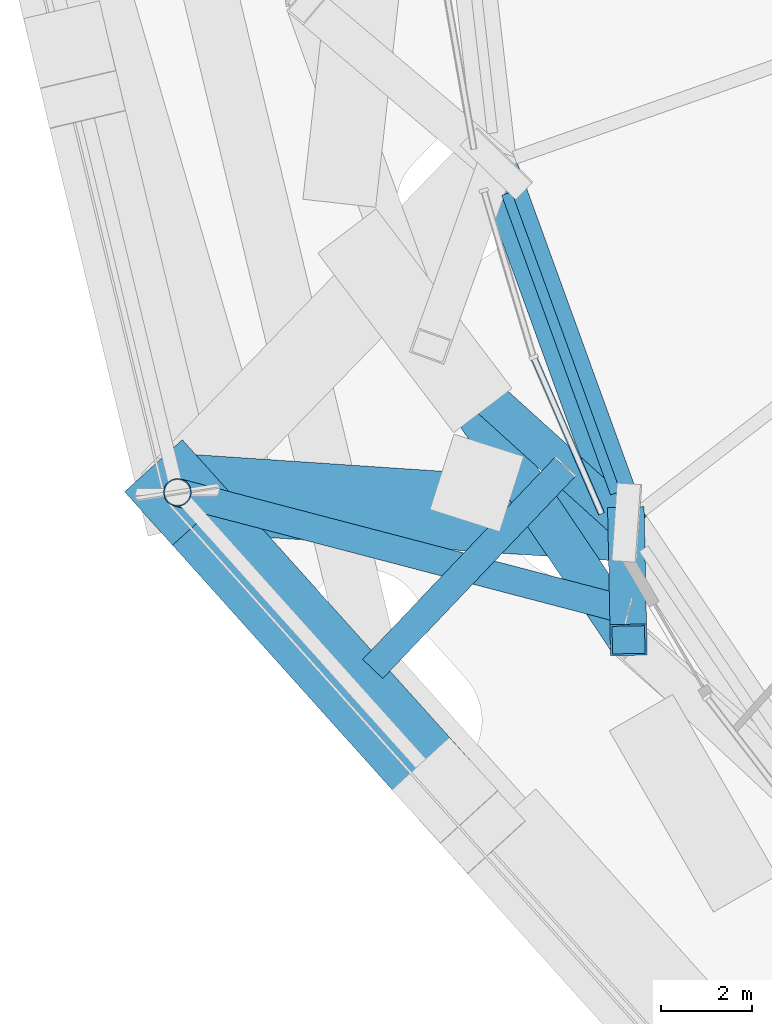
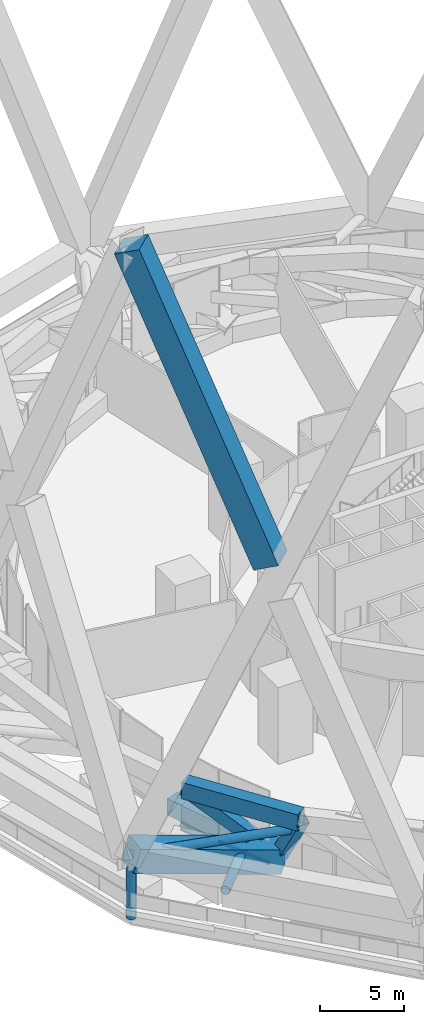
# One storey, part 4 of 51: 6 members, 5 beams, 1 element without a shape of its own.
"""IFC4 building model written with IfcOpenShell, lengths in metres."""

from ifc_helpers import new_model, si_unit, direction, frame, origin, origin_2d, place, context, subcontext, project, spatial, rectangle, hollow_rectangle, hollow_circle, i_section, extrude, material, layer, layer_set, material_profile, profile_set, type_object, element, aggregate, save


model = new_model("IFC4")

# Units and contexts
model_context = context("Model", 3, precision=1e-05, world=origin(), true_north=direction((0.0, 1.0)))
body_context = subcontext(model_context, "Body", "Model", "MODEL_VIEW")
ifc_project = project(units=[si_unit("LENGTHUNIT", "METRE"), si_unit("AREAUNIT", "SQUARE_METRE"), si_unit("VOLUMEUNIT", "CUBIC_METRE"), si_unit("PLANEANGLEUNIT", "RADIAN"), si_unit("MASSUNIT", "GRAM", prefix="KILO")], contexts=[model_context])

# Site, building, storey
site_placement = place(None, origin())
site = spatial("IfcSite", under=ifc_project, at=site_placement, CompositionType="ELEMENT")
building_placement = place(site_placement, origin())
building = spatial("IfcBuilding", under=site, at=building_placement, Name="Nagisa Residences", CompositionType="ELEMENT")
storey_placement = place(building_placement, frame((0.0, 0.0, 67.699951171875)))
storey = spatial("IfcBuildingStorey", under=building, at=storey_placement, Name="L16", CompositionType="ELEMENT", Elevation=67.699951171875)

# Beams
ifc_material_1 = material(Name="Steel ASTM A572 Gr 50", Category="steel")
ifc_material_profile_1 = material_profile(ifc_material_1, hollow_rectangle(XDim=0.89990234375, YDim=1.199951171875, WallThickness=0.050048828125, at=origin_2d()), Name="BX 900x1200x50")
ifc_profile_set_1 = profile_set([ifc_material_profile_1], Name="Steel ASTM A572 Gr 50")
beam_type_1 = type_object("IfcBeamType", Name="Belt chord 1 BX 900x1200x50", PredefinedType="BEAM", material=ifc_profile_set_1)
beam_1_placement = place(storey_placement, frame((-23.928955078125, -8.41162109375, 0.60009765625), z_axis=(0.34140925968, -0.939914739434, 0.0), x_axis=(0.939914739434, 0.34140925968, 0.0)))
element("IfcBeam", 1, at=beam_1_placement, inside=storey, type_object=beam_type_1, Name="beam:L16:bt1b14", PredefinedType="BEAM", context=body_context, shape_type="SweptSolid", body=[
    extrude(hollow_rectangle(XDim=0.89990234375, YDim=1.199951171875, WallThickness=0.050048828125, at=origin_2d()), origin(), (0.0, 0.0, 1.0), 8.33935546875),
])
beam_2_placement = place(storey_placement, frame((-25.3515625, -12.389892578125, 4.739990234375), z_axis=(0.558231952624, -0.829684932411, 0.0), x_axis=(0.829684932411, 0.558231952624, 0.0)))
element("IfcBeam", 2, at=beam_2_placement, inside=storey, type_object=beam_type_1, Name="beam:L16:bt1t15", PredefinedType="BEAM", context=body_context, shape_type="SweptSolid", body=[
    extrude(hollow_rectangle(XDim=0.89990234375, YDim=1.199951171875, WallThickness=0.050048828125, at=origin_2d()), origin(), (0.0, 0.0, 1.0), 7.741943359375),
])
ifc_material_2 = material(Name="Steel ASTM A572 Gr 50", Category="steel")
ifc_material_profile_2 = material_profile(ifc_material_2, hollow_rectangle(XDim=0.800048828125, YDim=0.800048828125, WallThickness=0.044921875, at=origin_2d()), Name="BX 800x800x45")
ifc_profile_set_2 = profile_set([ifc_material_profile_2], Name="Steel ASTM A572 Gr 50")
beam_type_2 = type_object("IfcBeamType", Name="Belt diagonal 1 BX 800x800x45", PredefinedType="BEAM", material=ifc_profile_set_2)
beam_3_placement = place(storey_placement, frame((-21.081787109375, -16.25, 0.60009765625), z_axis=(-0.602212909633, 0.544432975825, 0.583894122514), x_axis=(-0.670624512219, -0.741796982746, 0.0)))
element("IfcBeam", 3, at=beam_3_placement, inside=storey, type_object=beam_type_2, Name="beam:L16:bt1da15", PredefinedType="BEAM", context=body_context, shape_type="SweptSolid", body=[
    extrude(hollow_rectangle(XDim=0.800048828125, YDim=0.800048828125, WallThickness=0.044921875, at=origin_2d()), origin(), (0.0, 0.0, 1.0), 7.090087890625),
])
beam_4_placement = place(storey_placement, frame((-21.081787109375, -16.25, 0.60009765625), z_axis=(0.01067921801, -0.526390187241, 0.850176055343), x_axis=(0.999794269206, 0.020283472649, 0.0)))
element("IfcBeam", 4, at=beam_4_placement, inside=storey, type_object=beam_type_2, Name="beam:L16:bt1db15", PredefinedType="BEAM", context=body_context, shape_type="SweptSolid", body=[
    extrude(hollow_rectangle(XDim=0.800048828125, YDim=0.800048828125, WallThickness=0.044921875, at=origin_2d()), origin(), (0.0, 0.0, 1.0), 4.869384765625),
])

# Curtain wall, member
ifc_material_3 = material(Name="Aluminium curtain wall system", Category="aluminium")
ifc_layer = layer(ifc_material_3, 0.159912109375)
ifc_layer_set = layer_set([ifc_layer], Name="CW2 CURTAIN WALL")
curtain_wall_type = type_object("IfcCurtainWallType", Name="CW2 CURTAIN WALL", PredefinedType="NOTDEFINED", material=ifc_layer_set)
curtain_wall_placement = place(storey_placement, origin())
curtain_wall = element("IfcCurtainWall", 5, at=curtain_wall_placement, inside=storey, type_object=curtain_wall_type, Name="cw:CW2:L16:27", PredefinedType="NOTDEFINED")
ifc_material_4 = material(Name="Aluminium", Category="aluminium")
ifc_material_profile_3 = material_profile(ifc_material_4, rectangle(XDim=0.139892578125, YDim=0.179931640625, at=origin_2d()), Name="CW2 TRANSOM 140x180")
ifc_profile_set_3 = profile_set([ifc_material_profile_3], Name="Aluminium")
member_type_1 = type_object("IfcMemberType", Name="CW2 TRANSOM 140x180", PredefinedType="USERDEFINED", material=ifc_profile_set_3)
member_1_placement = place(storey_placement, frame((-23.119140625, -12.5966796875, 0.090087890625), z_axis=(0.397629250024, -0.917546172966, 0.0), x_axis=(0.917546172966, 0.397629250024, 0.0)))
member_1 = element("IfcMember", 6, at=member_1_placement, type_object=member_type_1, Name="CW2 transom", ObjectType="TRANSOM", PredefinedType="USERDEFINED", context=body_context, shape_type="SweptSolid", body=[
    extrude(rectangle(XDim=0.139892578125, YDim=0.179931640625, at=origin_2d()), origin(), (0.0, 0.0, 1.0), 3.769287109375),
])
aggregate(curtain_wall, [member_1])

# Members
ifc_material_5 = material(Name="Concrete C80", Category="concrete")
ifc_material_profile_4 = material_profile(ifc_material_5, rectangle(XDim=1.699951171875, YDim=1.699951171875, at=origin_2d()), Name="C80 1700x1700")
ifc_profile_set_4 = profile_set([ifc_material_profile_4], Name="Concrete C80")
member_type_2 = type_object("IfcMemberType", Name="Cage bracket 2 C80 1700x1700", PredefinedType="BRACE", material=ifc_profile_set_4)
member_2_placement = place(storey_placement, frame((-30.89404296875, -15.58984375, 3.699951171875), z_axis=(0.951591668556, -0.064021892259, -0.30062350814), x_axis=(0.06712699273, 0.997744439647, 0.0)))
element("IfcMember", 7, at=member_2_placement, inside=storey, type_object=member_type_2, Name="mem:L16:cg1ob09", PredefinedType="BRACE", context=body_context, shape_type="SweptSolid", body=[
    extrude(rectangle(XDim=1.699951171875, YDim=1.699951171875, at=origin_2d()), origin(), (0.0, 0.0, 1.0), 10.3115234375),
])
ifc_material_6 = material(Name="Concrete C80", Category="concrete")
ifc_material_profile_5 = material_profile(ifc_material_6, rectangle(XDim=1.699951171875, YDim=1.699951171875, at=origin_2d()), Name="C80 1700x1700")
ifc_profile_set_5 = profile_set([ifc_material_profile_5], Name="Concrete C80")
member_type_3 = type_object("IfcMemberType", Name="Cage diagonal 2 C80 1700x1700", PredefinedType="BRACE", material=ifc_profile_set_5)
member_3_placement = place(storey_placement, frame((-25.048095703125, -22.1005859375, 27.04345703125), z_axis=(-0.255341898102, 0.284379107896, 0.924082809096), x_axis=(-0.744073337813, -0.668097947875, 0.0)))
element("IfcMember", 8, at=member_3_placement, inside=storey, type_object=member_type_3, Name="mem:L16:cg2d016b", PredefinedType="BRACE", context=body_context, shape_type="SweptSolid", body=[
    extrude(rectangle(XDim=1.699951171875, YDim=1.699951171875, at=origin_2d()), origin(), (0.0, 0.0, 1.0), 22.89453125),
])
ifc_material_7 = material(Name="Steel ASTM A572 Gr 65", Category="steel")
ifc_material_profile_6 = material_profile(ifc_material_7, hollow_circle(Radius=0.304931640625, WallThickness=0.02490234375, at=origin_2d()), Name="CHS 610x25")
ifc_profile_set_6 = profile_set([ifc_material_profile_6], Name="Steel ASTM A572 Gr 65")
member_type_4 = type_object("IfcMemberType", Name="Cage strut CHS 610x25", PredefinedType="STRUT", material=ifc_profile_set_6)
member_4_placement = place(storey_placement, frame((-26.624267578125, -19.449951171875, 1.900146484375), z_axis=(0.689625154165, 0.724166518656, 0.0), x_axis=(-0.724166518656, 0.689625154165, 0.0)))
element("IfcMember", 9, at=member_4_placement, inside=storey, type_object=member_type_4, Name="mem:L16:bt1st1a08", PredefinedType="STRUT", context=body_context, shape_type="SweptSolid", body=[
    extrude(hollow_circle(Radius=0.304931640625, WallThickness=0.02490234375, at=origin_2d()), origin(), (0.0, 0.0, 1.0), 6.0927734375),
])
member_5_placement = place(storey_placement, frame((-30.89404296875, -15.58984375, 3.699951171875), z_axis=(0.967384673556, -0.253311850036, 0.0), x_axis=(0.253311850036, 0.967384673556, 0.0)))
element("IfcMember", 10, at=member_5_placement, inside=storey, type_object=member_type_4, Name="mem:L16:bt1st2b08", PredefinedType="STRUT", context=body_context, shape_type="SweptSolid", body=[
    extrude(hollow_circle(Radius=0.304931640625, WallThickness=0.02490234375, at=origin_2d()), origin(), (0.0, 0.0, 1.0), 10.183349609375),
])
ifc_material_8 = material(Name="Steel ASTM A572 Gr 65", Category="steel")
ifc_material_profile_7 = material_profile(ifc_material_8, hollow_circle(Radius=0.304931640625, WallThickness=0.02490234375, at=origin_2d()), Name="CHS 610x25")
ifc_profile_set_7 = profile_set([ifc_material_profile_7], Name="Steel ASTM A572 Gr 65")
member_type_5 = type_object("IfcMemberType", Name="Deck hanger CHS 610x25", PredefinedType="POST", material=ifc_profile_set_7)
member_6_placement = place(storey_placement, frame((-30.89404296875, -15.58984375, 2.900146484375), z_axis=(0.0, 0.0, -1.0), x_axis=(1.0, 0.0, 0.0)))
element("IfcMember", 11, at=member_6_placement, inside=storey, type_object=member_type_5, Name="mem:L16:deckhanger07", PredefinedType="POST", context=body_context, shape_type="SweptSolid", body=[
    extrude(hollow_circle(Radius=0.304931640625, WallThickness=0.02490234375, at=origin_2d()), origin(), (0.0, 0.0, 1.0), 3.7900390625),
])

# Beam
ifc_material_9 = material(Name="Steel ASTM A572 Gr 50", Category="steel")
ifc_material_profile_8 = material_profile(ifc_material_9, i_section(OverallWidth=0.22900390625, OverallDepth=0.612060546875, WebThickness=0.011962890625, FlangeThickness=0.01953125, at=origin_2d()), Name="W610x125")
ifc_profile_set_8 = profile_set([ifc_material_profile_8], Name="Steel ASTM A572 Gr 50")
beam_type_3 = type_object("IfcBeamType", Name="Perimeter ring beam W610x125", PredefinedType="BEAM", material=ifc_profile_set_8)
beam_5_placement = place(storey_placement, frame((-23.695068359375, -9.055419921875, -0.656005859375), z_axis=(0.341411143183, -0.939914055279, 0.0), x_axis=(0.939914055279, 0.341411143183, 0.0)))
element("IfcBeam", 12, at=beam_5_placement, inside=storey, type_object=beam_type_3, Name="beam:L16:pb14", PredefinedType="BEAM", context=body_context, shape_type="SweptSolid", body=[
    extrude(i_section(OverallWidth=0.22900390625, OverallDepth=0.612060546875, WebThickness=0.011962890625, FlangeThickness=0.01953125, at=origin_2d()), origin(), (0.0, 0.0, 1.0), 6.96923828125),
])

save(model, "model.ifc")
